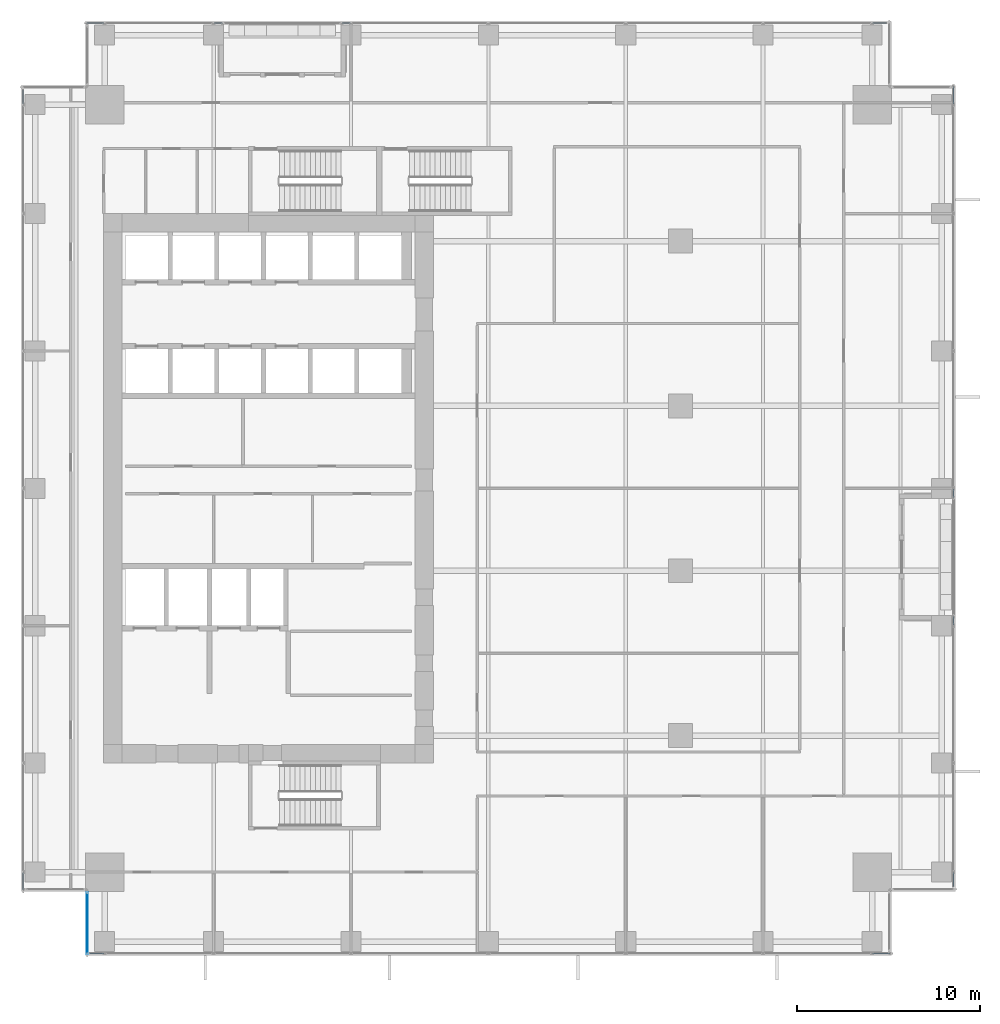
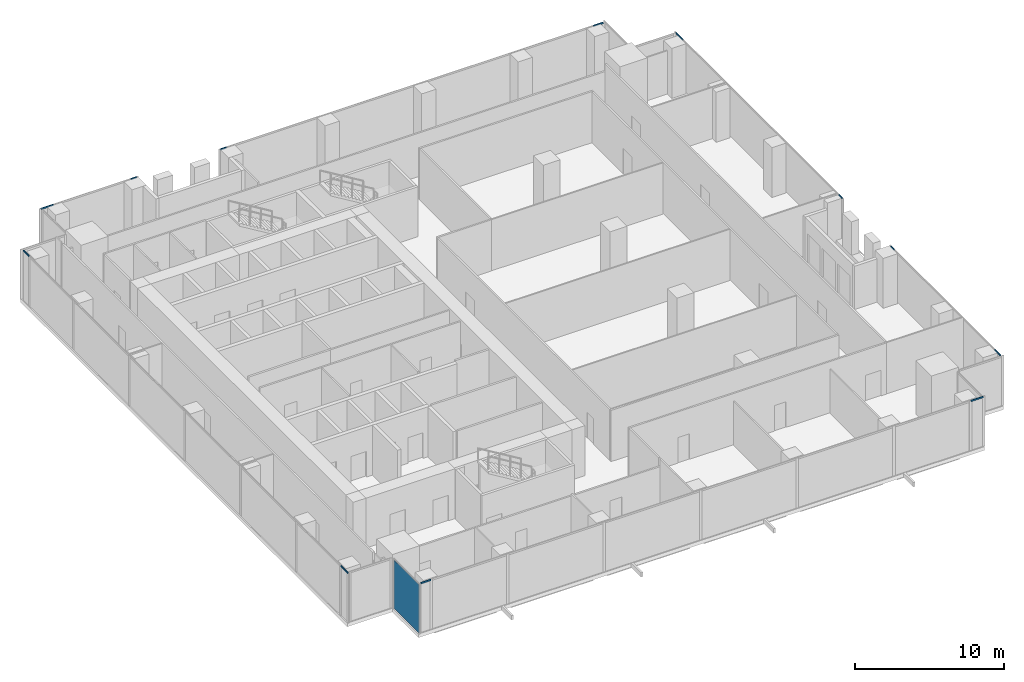
# One storey, part 22 of 34: 12 members, 1 plate, 7 elements without a shape of their own.
"""IFC4 building model written with IfcOpenShell, lengths in metres."""

from ifc_helpers import new_model, si_unit, direction, frame, origin, origin_2d, place, context, subcontext, project, spatial, rectangle, hollow_rectangle, extrude, source, transform, mapped, material, layer, layer_set, material_profile, profile_set, type_object, element, aggregate, save


model = new_model("IFC4")

# Units and contexts
model_context = context("Model", 3, precision=1e-05, world=origin(), true_north=direction((0.0, 1.0)))
body_context = subcontext(model_context, "Body", "Model", "MODEL_VIEW")
ifc_project = project(units=[si_unit("LENGTHUNIT", "METRE"), si_unit("AREAUNIT", "SQUARE_METRE"), si_unit("VOLUMEUNIT", "CUBIC_METRE"), si_unit("PLANEANGLEUNIT", "RADIAN"), si_unit("MASSUNIT", "GRAM", prefix="KILO")], contexts=[model_context])

# Site, building, storey
site_placement = place(None, origin())
site = spatial("IfcSite", under=ifc_project, at=site_placement, CompositionType="ELEMENT")
building_placement = place(site_placement, origin())
building = spatial("IfcBuilding", under=site, at=building_placement, Name="Khomas Fold Tower", CompositionType="ELEMENT")
storey_placement = place(building_placement, frame((0.0, 0.0, 110.300048828125)))
storey = spatial("IfcBuildingStorey", under=building, at=storey_placement, Name="L23", CompositionType="ELEMENT", Elevation=110.300048828125)

# Curtain wall, member
ifc_material_1 = material(Name="Aluminium framed double glazing", Category="aluminium")
curtain_wall_type = type_object("IfcCurtainWallType", Name="SK-Unitised clear-glass wall, growing floors CW1", PredefinedType="NOTDEFINED", material=ifc_material_1)
curtain_wall_1_placement = place(storey_placement, origin())
curtain_wall_1 = element("IfcCurtainWall", 1, at=curtain_wall_1_placement, inside=storey, type_object=curtain_wall_type, Name="CW1 run L23 00-0", PredefinedType="NOTDEFINED")
ifc_material_2 = material(Name="Aluminium", Category="aluminium")
ifc_material_profile = material_profile(ifc_material_2, hollow_rectangle(XDim=0.06005859375, YDim=0.1201171875, WallThickness=0.00390625, at=origin_2d()), Name="SK-Unitised clear-glass wall, growing floors transom CW1-T")
ifc_profile_set = profile_set([ifc_material_profile], Name="Aluminium")
member_type = type_object("IfcMemberType", Name="SK-Unitised clear-glass wall, growing floors transom CW1-T", PredefinedType="USERDEFINED", material=ifc_profile_set)
shared_shape_1 = source(origin(), body_context, "Body", "SweptSolid", [
    extrude(hollow_rectangle(XDim=0.06005859375, YDim=0.1201171875, WallThickness=0.00390625, at=origin_2d()), origin(), (0.0, 0.0, 1.0), 0.760009765625),
])
member_1_placement = place(storey_placement, frame((5.260009765625, 1.60009765625, 4.0400390625), z_axis=(1.0, 0.0, 0.0), x_axis=(0.0, 1.0, 0.0)))
member_1 = element("IfcMember", 2, at=member_1_placement, type_object=member_type, Name="CW1 transom 1", ObjectType="TRANSOM", PredefinedType="USERDEFINED", context=body_context, shape_type="MappedRepresentation", body=[
    mapped(shared_shape_1, transform((0.0, 0.0, 0.0))),
])

curtain_wall_2_placement = place(storey_placement, origin())
curtain_wall_2 = element("IfcCurtainWall", 3, at=curtain_wall_2_placement, inside=storey, type_object=curtain_wall_type, Name="CW1 run L23 03-0", PredefinedType="NOTDEFINED")
member_2_placement = place(storey_placement, frame((52.39990234375, 5.260009765625, 4.0400390625), z_axis=(0.0, 1.0, 0.0), x_axis=(-1.0, 0.0, 0.0)))
member_2 = element("IfcMember", 4, at=member_2_placement, type_object=member_type, Name="CW1 transom 1", ObjectType="TRANSOM", PredefinedType="USERDEFINED", context=body_context, shape_type="MappedRepresentation", body=[
    mapped(shared_shape_1, transform((0.0, 0.0, 0.0))),
])

curtain_wall_3_placement = place(storey_placement, origin())
curtain_wall_3 = element("IfcCurtainWall", 5, at=curtain_wall_3_placement, inside=storey, type_object=curtain_wall_type, Name="CW1 run L23 06-0", PredefinedType="NOTDEFINED")
member_3_placement = place(storey_placement, frame((48.739990234375, 52.39990234375, 4.0400390625), z_axis=(-1.0, 0.0, 0.0), x_axis=(0.0, -1.0, 0.0)))
member_3 = element("IfcMember", 6, at=member_3_placement, type_object=member_type, Name="CW1 transom 1", ObjectType="TRANSOM", PredefinedType="USERDEFINED", context=body_context, shape_type="MappedRepresentation", body=[
    mapped(shared_shape_1, transform((0.0, 0.0, 0.0))),
])

curtain_wall_4_placement = place(storey_placement, origin())
curtain_wall_4 = element("IfcCurtainWall", 7, at=curtain_wall_4_placement, inside=storey, type_object=curtain_wall_type, Name="CW1 run L23 09-0", PredefinedType="NOTDEFINED")
member_4_placement = place(storey_placement, frame((1.60009765625, 48.739990234375, 4.0400390625), z_axis=(0.0, -1.0, 0.0), x_axis=(1.0, 0.0, 0.0)))
member_4 = element("IfcMember", 8, at=member_4_placement, type_object=member_type, Name="CW1 transom 1", ObjectType="TRANSOM", PredefinedType="USERDEFINED", context=body_context, shape_type="MappedRepresentation", body=[
    mapped(shared_shape_1, transform((0.0, 0.0, 0.0))),
])

# Member
shared_shape_2 = source(origin(), body_context, "Body", "SweptSolid", [
    extrude(hollow_rectangle(XDim=0.06005859375, YDim=0.1201171875, WallThickness=0.00390625, at=origin_2d()), origin(), (0.0, 0.0, 1.0), 0.9599609375),
])
member_5_placement = place(storey_placement, frame((47.97998046875, 1.60009765625, 4.0400390625), z_axis=(1.0, 0.0, 0.0), x_axis=(0.0, 1.0, 0.0)))
member_5 = element("IfcMember", 9, at=member_5_placement, type_object=member_type, Name="CW1 transom 8", ObjectType="TRANSOM", PredefinedType="USERDEFINED", context=body_context, shape_type="MappedRepresentation", body=[
    mapped(shared_shape_2, transform((0.0, 0.0, 0.0))),
])

aggregate(curtain_wall_1, [member_1, member_5])

# Curtain wall, member
curtain_wall_5_placement = place(storey_placement, origin())
curtain_wall_5 = element("IfcCurtainWall", 10, at=curtain_wall_5_placement, inside=storey, type_object=curtain_wall_type, Name="CW1 run L23 03-1", PredefinedType="NOTDEFINED")
member_6_placement = place(storey_placement, frame((52.39990234375, 47.97998046875, 4.0400390625), z_axis=(0.0, 1.0, 0.0), x_axis=(-1.0, 0.0, 0.0)))
member_6 = element("IfcMember", 11, at=member_6_placement, type_object=member_type, Name="CW1 transom 5", ObjectType="TRANSOM", PredefinedType="USERDEFINED", context=body_context, shape_type="MappedRepresentation", body=[
    mapped(shared_shape_2, transform((0.0, 0.0, 0.0))),
])

curtain_wall_6_placement = place(storey_placement, origin())
curtain_wall_6 = element("IfcCurtainWall", 12, at=curtain_wall_6_placement, inside=storey, type_object=curtain_wall_type, Name="CW1 run L23 06-1", PredefinedType="NOTDEFINED")
member_7_placement = place(storey_placement, frame((6.02001953125, 52.39990234375, 4.0400390625), z_axis=(-1.0, 0.0, 0.0), x_axis=(0.0, -1.0, 0.0)))
member_7 = element("IfcMember", 13, at=member_7_placement, type_object=member_type, Name="CW1 transom 3", ObjectType="TRANSOM", PredefinedType="USERDEFINED", context=body_context, shape_type="MappedRepresentation", body=[
    mapped(shared_shape_2, transform((0.0, 0.0, 0.0))),
])

# Member
member_8_placement = place(storey_placement, frame((1.60009765625, 6.02001953125, 4.0400390625), z_axis=(0.0, -1.0, 0.0), x_axis=(1.0, 0.0, 0.0)))
member_8 = element("IfcMember", 14, at=member_8_placement, type_object=member_type, Name="CW1 transom 8", ObjectType="TRANSOM", PredefinedType="USERDEFINED", context=body_context, shape_type="MappedRepresentation", body=[
    mapped(shared_shape_2, transform((0.0, 0.0, 0.0))),
])

aggregate(curtain_wall_4, [member_4, member_8])

shared_shape_3 = source(origin(), body_context, "Body", "SweptSolid", [
    extrude(hollow_rectangle(XDim=0.06005859375, YDim=0.1201171875, WallThickness=0.00390625, at=origin_2d()), origin(), (0.0, 0.0, 1.0), 0.4599609375),
])
member_9_placement = place(storey_placement, frame((52.39990234375, 19.530029296875, 4.0400390625), z_axis=(0.0, 1.0, 0.0), x_axis=(-1.0, 0.0, 0.0)))
member_9 = element("IfcMember", 15, at=member_9_placement, type_object=member_type, Name="CW1 transom 4", ObjectType="TRANSOM", PredefinedType="USERDEFINED", context=body_context, shape_type="MappedRepresentation", body=[
    mapped(shared_shape_3, transform((0.0, 0.0, 0.0))),
])

aggregate(curtain_wall_2, [member_2, member_9])

member_10_placement = place(storey_placement, frame((52.39990234375, 26.510009765625, 4.0400390625), z_axis=(0.0, 1.0, 0.0), x_axis=(-1.0, 0.0, 0.0)))
member_10 = element("IfcMember", 16, at=member_10_placement, type_object=member_type, Name="CW1 transom 1", ObjectType="TRANSOM", PredefinedType="USERDEFINED", context=body_context, shape_type="MappedRepresentation", body=[
    mapped(shared_shape_3, transform((0.0, 0.0, 0.0))),
])

aggregate(curtain_wall_5, [member_10, member_6])

member_11_placement = place(storey_placement, frame((19.469970703125, 52.39990234375, 4.0400390625), z_axis=(-1.0, 0.0, 0.0), x_axis=(0.0, -1.0, 0.0)))
member_11 = element("IfcMember", 17, at=member_11_placement, type_object=member_type, Name="CW1 transom 6", ObjectType="TRANSOM", PredefinedType="USERDEFINED", context=body_context, shape_type="MappedRepresentation", body=[
    mapped(shared_shape_3, transform((0.0, 0.0, 0.0))),
])

aggregate(curtain_wall_3, [member_3, member_11])

member_12_placement = place(storey_placement, frame((12.489990234375, 52.39990234375, 4.0400390625), z_axis=(-1.0, 0.0, 0.0), x_axis=(0.0, -1.0, 0.0)))
member_12 = element("IfcMember", 18, at=member_12_placement, type_object=member_type, Name="CW1 transom 1", ObjectType="TRANSOM", PredefinedType="USERDEFINED", context=body_context, shape_type="MappedRepresentation", body=[
    mapped(shared_shape_3, transform((0.0, 0.0, 0.0))),
])

aggregate(curtain_wall_6, [member_12, member_7])

# Curtain wall, plate
curtain_wall_7_placement = place(storey_placement, origin())
curtain_wall_7 = element("IfcCurtainWall", 19, at=curtain_wall_7_placement, inside=storey, type_object=curtain_wall_type, Name="CW1 corner return L23 11", PredefinedType="NOTDEFINED")
ifc_material_3 = material(Name="Clear double glazed unit")
ifc_layer = layer(ifc_material_3, 0.031982421875)
ifc_layer_set = layer_set([ifc_layer], Name="Clear double glazed unit")
plate_type = type_object("IfcPlateType", Name="SK-Unitised clear-glass wall, growing floors glass panel CW1-P", PredefinedType="CURTAIN_PANEL", material=ifc_layer_set)
shared_shape_4 = source(origin(), body_context, "Body", "SweptSolid", [
    extrude(rectangle(XDim=3.3798828125, YDim=0.031982421875, at=origin_2d()), origin(), (0.0, 0.0, 1.0), 3.97998046875),
])
plate_placement = place(storey_placement, frame((5.10009765625, 3.25, 0.0), z_axis=(0.0, 0.0, 1.0), x_axis=(0.0, -1.0, 0.0)))
plate = element("IfcPlate", 20, at=plate_placement, type_object=plate_type, Name="CW1 glass panel 1", PredefinedType="CURTAIN_PANEL", context=body_context, shape_type="MappedRepresentation", body=[
    mapped(shared_shape_4, transform((0.0, 0.0, 0.0))),
])
aggregate(curtain_wall_7, [plate])

save(model, "model.ifc")
